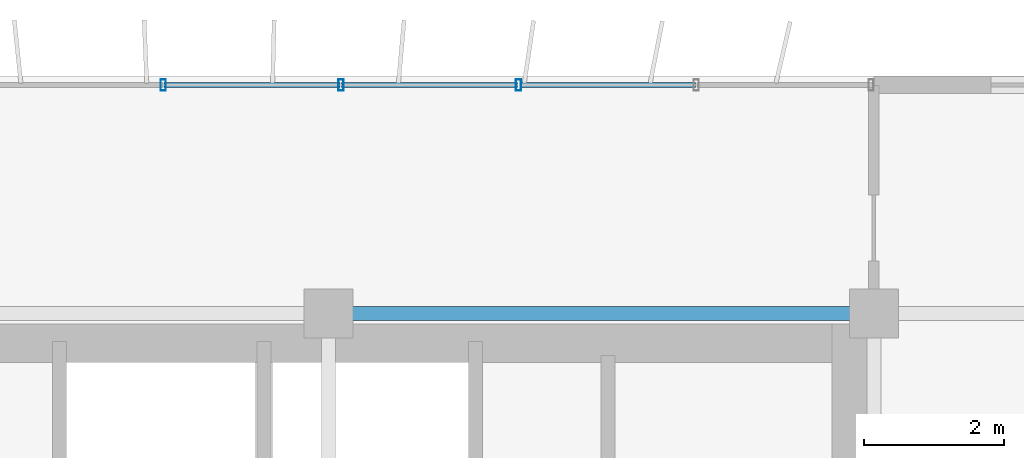
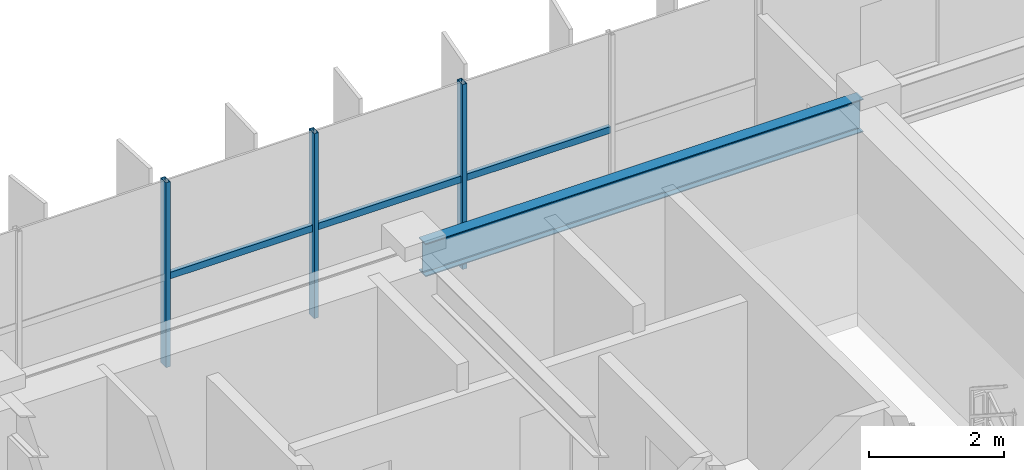
# One storey, part 10 of 20: 6 members, 1 beam, 1 element without a shape of its own.
"""IFC4 building model written with IfcOpenShell, lengths in metres."""

from ifc_helpers import new_model, si_unit, direction, frame, origin, origin_2d, place, context, subcontext, project, spatial, hollow_rectangle, i_section, extrude, source, transform, mapped, material, material_profile, profile_set, type_object, element, aggregate, save


model = new_model("IFC4")

# Units and contexts
model_context = context("Model", 3, precision=1e-05, world=origin(), true_north=direction((0.0, 1.0)))
body_context = subcontext(model_context, "Body", "Model", "MODEL_VIEW")
ifc_project = project(units=[si_unit("LENGTHUNIT", "METRE"), si_unit("AREAUNIT", "SQUARE_METRE"), si_unit("VOLUMEUNIT", "CUBIC_METRE"), si_unit("PLANEANGLEUNIT", "RADIAN"), si_unit("MASSUNIT", "GRAM", prefix="KILO")], contexts=[model_context])

# Site, building, storey
site_placement = place(None, origin())
site = spatial("IfcSite", under=ifc_project, at=site_placement, CompositionType="ELEMENT")
building_placement = place(site_placement, origin())
building = spatial("IfcBuilding", under=site, at=building_placement, Name="Trelvane Seafront Commons", CompositionType="ELEMENT")
storey_placement = place(building_placement, frame((0.0, 0.0, 150.10009765625)))
storey = spatial("IfcBuildingStorey", under=building, at=storey_placement, Name="L39", CompositionType="ELEMENT", Elevation=150.10009765625)

# Beam
ifc_material_1 = material(Name="Steel SM355 (S355)", Category="steel")
ifc_material_profile_1 = material_profile(ifc_material_1, i_section(OverallWidth=0.199951171875, OverallDepth=0.60009765625, WebThickness=0.010986328125, FlangeThickness=0.01708984375, at=origin_2d()), Name="H-600x200x11x17")
ifc_profile_set_1 = profile_set([ifc_material_profile_1], Name="Steel SM355 (S355)")
beam_type = type_object("IfcBeamType", Name="STR-SPD-H600", PredefinedType="SPANDREL", material=ifc_profile_set_1)
shared_shape_1 = source(origin(), body_context, "Body", "SweptSolid", [
    extrude(i_section(OverallWidth=0.199951171875, OverallDepth=0.60009765625, WebThickness=0.010986328125, FlangeThickness=0.01708984375, at=origin_2d()), origin(), (0.0, 0.0, 1.0), 7.5),
])
beam_placement = place(storey_placement, frame((51.14990234375, 45.10009765625, 3.0498046875), z_axis=(1.0, 0.0, 0.0), x_axis=(0.0, 1.0, 0.0)))
element("IfcBeam", 1, at=beam_placement, inside=storey, type_object=beam_type, Name="L39 Primary Girder G-27", PredefinedType="SPANDREL", context=body_context, shape_type="MappedRepresentation", body=[
    mapped(shared_shape_1, transform((0.0, 0.0, 0.0), x_axis=(1.0, 0.0, 0.0), y_axis=(0.0, 1.0, 0.0), z_axis=(0.0, 0.0, 1.0), scale=1.0)),
])

# Curtain wall, members
ifc_material_2 = material(Name="Anodised pale-silver aluminium", Category="aluminium")
curtain_wall_type = type_object("IfcCurtainWallType", Name="ARCH-CW5-UPTOWER", PredefinedType="NOTDEFINED", material=ifc_material_2)
curtain_wall_placement = place(storey_placement, origin())
curtain_wall = element("IfcCurtainWall", 2, at=curtain_wall_placement, inside=storey, type_object=curtain_wall_type, Name="CW-L39-0066", PredefinedType="NOTDEFINED")
ifc_material_profile_2 = material_profile(ifc_material_2, hollow_rectangle(XDim=0.070068359375, YDim=0.1201171875, WallThickness=0.00390625, at=origin_2d()), Name="TRAN-70x120x4")
ifc_profile_set_2 = profile_set([ifc_material_profile_2], Name="Anodised pale-silver aluminium")
member_type_1 = type_object("IfcMemberType", Name="ARCH-CW-TRAN-120", PredefinedType="USERDEFINED", material=ifc_profile_set_2)
shared_shape_2 = source(origin(), body_context, "Body", "SweptSolid", [
    extrude(hollow_rectangle(XDim=0.070068359375, YDim=0.1201171875, WallThickness=0.00390625, at=origin_2d()), origin(), (0.0, 0.0, 1.0), 2.51708984375),
])
member_1_placement = place(storey_placement, frame((51.1884765625, 48.3701171875, 1.60791015625), z_axis=(1.0, 0.0, 0.0), x_axis=(0.0, 1.0, 0.0)))
member_1 = element("IfcMember", 3, at=member_1_placement, type_object=member_type_1, Name="CW-L39-0066-T14", ObjectType="TRANSOM", PredefinedType="USERDEFINED", context=body_context, shape_type="MappedRepresentation", body=[
    mapped(shared_shape_2, transform((0.0, 0.0, 0.0), x_axis=(1.0, 0.0, 0.0), y_axis=(0.0, 1.0, 0.0), z_axis=(0.0, 0.0, 1.0), scale=1.0)),
])
shared_shape_3 = source(origin(), body_context, "Body", "SweptSolid", [
    extrude(hollow_rectangle(XDim=0.070068359375, YDim=0.1201171875, WallThickness=0.00390625, at=origin_2d()), origin(), (0.0, 0.0, 1.0), 2.517333984375),
])
member_2_placement = place(storey_placement, frame((48.647216796875, 48.3701171875, 1.60791015625), z_axis=(1.0, 0.0, 0.0), x_axis=(0.0, 1.0, 0.0)))
member_2 = element("IfcMember", 4, at=member_2_placement, type_object=member_type_1, Name="CW-L39-0066-T13", ObjectType="TRANSOM", PredefinedType="USERDEFINED", context=body_context, shape_type="MappedRepresentation", body=[
    mapped(shared_shape_3, transform((0.0, 0.0, 0.0), x_axis=(1.0, 0.0, 0.0), y_axis=(0.0, 1.0, 0.0), z_axis=(0.0, 0.0, 1.0), scale=1.0)),
])
member_3_placement = place(storey_placement, frame((53.7294921875, 48.3701171875, 1.60791015625), z_axis=(1.0, 0.0, 0.0), x_axis=(0.0, 1.0, 0.0)))
member_3 = element("IfcMember", 5, at=member_3_placement, type_object=member_type_1, Name="CW-L39-0066-T15", ObjectType="TRANSOM", PredefinedType="USERDEFINED", context=body_context, shape_type="MappedRepresentation", body=[
    mapped(shared_shape_3, transform((0.0, 0.0, 0.0), x_axis=(1.0, 0.0, 0.0), y_axis=(0.0, 1.0, 0.0), z_axis=(0.0, 0.0, 1.0), scale=1.0)),
])
ifc_material_profile_3 = material_profile(ifc_material_2, hollow_rectangle(XDim=0.074951171875, YDim=0.159912109375, WallThickness=0.00390625, at=origin_2d()), Name="MULL-75x160x4")
ifc_profile_set_3 = profile_set([ifc_material_profile_3], Name="Anodised pale-silver aluminium")
member_type_2 = type_object("IfcMemberType", Name="ARCH-CW-MULL-160", PredefinedType="MULLION", material=ifc_profile_set_3)
shared_shape_4 = source(origin(), body_context, "Body", "SweptSolid", [
    extrude(hollow_rectangle(XDim=0.074951171875, YDim=0.159912109375, WallThickness=0.00390625, at=origin_2d()), origin(), (0.0, 0.0, 1.0), 3.349853515625),
])
member_4_placement = place(storey_placement, frame((48.63525390625, 48.3701171875, 0.0), z_axis=(0.0, 0.0, 1.0), x_axis=(1.0, 0.0, 0.0)))
member_4 = element("IfcMember", 6, at=member_4_placement, type_object=member_type_2, Name="CW-L39-0066-M13", PredefinedType="MULLION", context=body_context, shape_type="MappedRepresentation", body=[
    mapped(shared_shape_4, transform((0.0, 0.0, 0.0), x_axis=(1.0, 0.0, 0.0), y_axis=(0.0, 1.0, 0.0), z_axis=(0.0, 0.0, 1.0), scale=1.0)),
])
member_5_placement = place(storey_placement, frame((51.176513671875, 48.3701171875, 0.0), z_axis=(0.0, 0.0, 1.0), x_axis=(1.0, 0.0, 0.0)))
member_5 = element("IfcMember", 7, at=member_5_placement, type_object=member_type_2, Name="CW-L39-0066-M14", PredefinedType="MULLION", context=body_context, shape_type="MappedRepresentation", body=[
    mapped(shared_shape_4, transform((0.0, 0.0, 0.0), x_axis=(1.0, 0.0, 0.0), y_axis=(0.0, 1.0, 0.0), z_axis=(0.0, 0.0, 1.0), scale=1.0)),
])
member_6_placement = place(storey_placement, frame((53.717529296875, 48.3701171875, 0.0), z_axis=(0.0, 0.0, 1.0), x_axis=(1.0, 0.0, 0.0)))
member_6 = element("IfcMember", 8, at=member_6_placement, type_object=member_type_2, Name="CW-L39-0066-M15", PredefinedType="MULLION", context=body_context, shape_type="MappedRepresentation", body=[
    mapped(shared_shape_4, transform((0.0, 0.0, 0.0), x_axis=(1.0, 0.0, 0.0), y_axis=(0.0, 1.0, 0.0), z_axis=(0.0, 0.0, 1.0), scale=1.0)),
])
aggregate(curtain_wall, [member_4, member_5, member_6, member_2, member_1, member_3])

save(model, "model.ifc")
